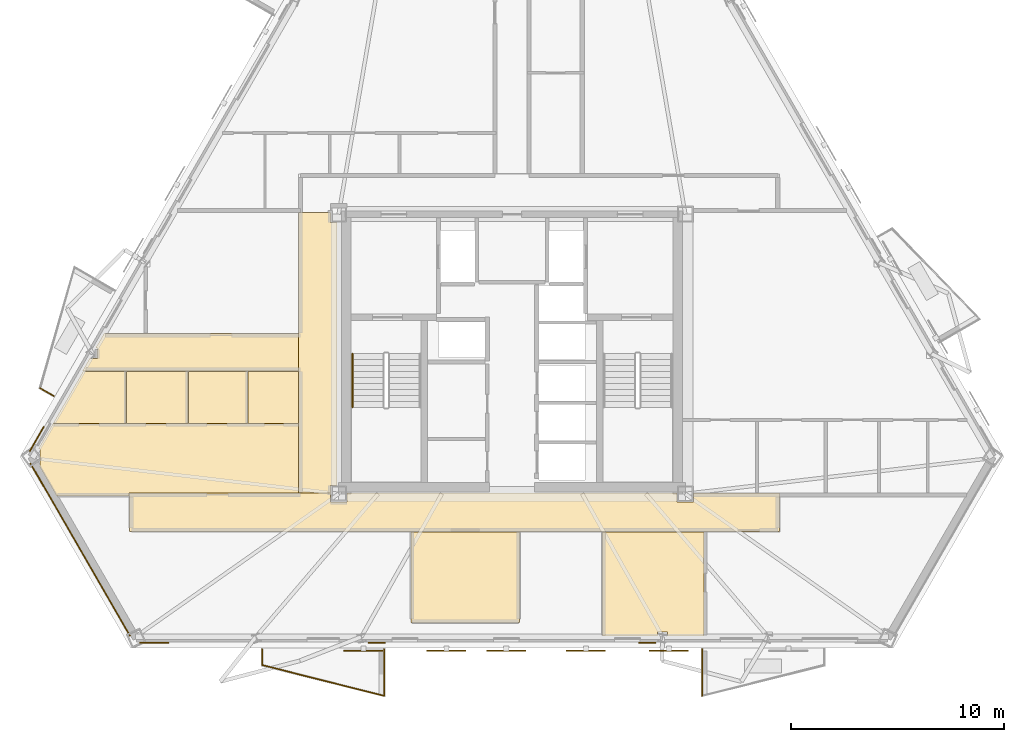
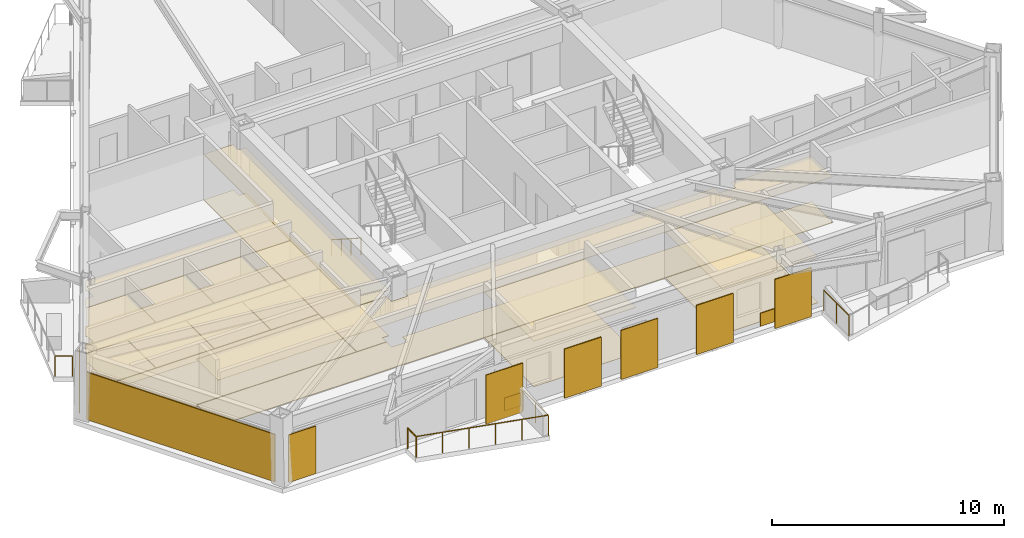
# One storey, part 7 of 9: 25 coverings, 6 railings, 5 shading devices.
"""IFC4 building model written with IfcOpenShell, lengths in metres."""

from ifc_helpers import new_model, si_unit, direction, frame, origin, origin_2d, place, context, subcontext, project, spatial, polyline, rectangle, circle, outline, extrude, material, layer, layer_set, type_object, element, save


model = new_model("IFC4")

# Units and contexts
model_context = context("Model", 3, precision=1e-05, world=origin(), true_north=direction((0.0, 1.0)))
body_context = subcontext(model_context, "Body", "Model", "MODEL_VIEW")
ifc_project = project(units=[si_unit("LENGTHUNIT", "METRE"), si_unit("AREAUNIT", "SQUARE_METRE"), si_unit("VOLUMEUNIT", "CUBIC_METRE"), si_unit("PLANEANGLEUNIT", "RADIAN"), si_unit("MASSUNIT", "GRAM", prefix="KILO")], contexts=[model_context])

# Site, building, storey
site_placement = place(None, origin())
site = spatial("IfcSite", under=ifc_project, at=site_placement, CompositionType="ELEMENT")
building_placement = place(site_placement, origin())
building = spatial("IfcBuilding", under=site, at=building_placement, Name="Oramaril Tower", CompositionType="ELEMENT")
storey_placement = place(building_placement, frame((0.0, 0.0, 142.199951171875)))
storey = spatial("IfcBuildingStorey", under=building, at=storey_placement, Name="L37", CompositionType="ELEMENT", Elevation=142.199951171875)

# Coverings
ifc_material_1 = material(Name="Mineral Fibre Acoustic Ceiling")
ifc_layer_1 = layer(ifc_material_1, 0.02001953125)
ifc_layer_set_1 = layer_set([ifc_layer_1], Name="CVT-CEIL")
covering_type_1 = type_object("IfcCoveringType", Name="CVT-CEIL", PredefinedType="CEILING", material=ifc_layer_set_1)
covering_1_placement = place(storey_placement, frame((0.0, 0.0, 2.400146484375)))
element("IfcCovering", 1, at=covering_1_placement, inside=storey, type_object=covering_type_1, Name="L37 Acoustic Suspended Ceiling 1", PredefinedType="CEILING", context=body_context, shape_type="SweptSolid", body=[
    extrude(outline(polyline([(28.955078125, 10.60498046875), (29.7451171875, 10.60498046875), (29.7451171875, 11.030029296875), (45.2548828125, 11.030029296875), (45.2548828125, 10.60498046875), (46.044921875, 10.60498046875), (46.044921875, 11.030029296875), (50.080078125, 11.030029296875), (50.080078125, 9.219970703125), (19.52001953125, 9.219970703125), (19.52001953125, 11.030029296875), (28.955078125, 11.030029296875), (28.955078125, 10.60498046875)])), origin(), (0.0, 0.0, 1.0), 0.02001953125),
])
covering_2_placement = place(storey_placement, frame((0.0, 0.0, 2.400146484375)))
element("IfcCovering", 2, at=covering_2_placement, inside=storey, type_object=covering_type_1, Name="L37 Acoustic Suspended Ceiling 3", PredefinedType="CEILING", context=body_context, shape_type="SweptSolid", body=[
    extrude(outline(polyline([(28.955078125, 23.7548828125), (29.280029296875, 23.7548828125), (29.280029296875, 11.39501953125), (28.955078125, 11.39501953125), (28.955078125, 11.050048828125), (27.469970703125, 11.050048828125), (27.469970703125, 24.219970703125), (28.955078125, 24.219970703125), (28.955078125, 23.7548828125)])), origin(), (0.0, 0.0, 1.0), 0.02001953125),
])
covering_3_placement = place(storey_placement, frame((0.0, 0.0, 2.400146484375)))
element("IfcCovering", 3, at=covering_3_placement, inside=storey, type_object=covering_type_1, Name="L37 Acoustic Suspended Ceiling 5", PredefinedType="CEILING", context=body_context, shape_type="SweptSolid", body=[
    extrude(outline(polyline([(17.298583984375, 16.77001953125), (17.643310546875, 17.36669921875), (17.99951171875, 17.36669921875), (17.99951171875, 17.865234375), (17.93115234375, 17.865234375), (18.31494140625, 18.530029296875), (27.449951171875, 18.530029296875), (27.449951171875, 16.77001953125), (17.298583984375, 16.77001953125)])), origin(), (0.0, 0.0, 1.0), 0.02001953125),
])
covering_4_placement = place(storey_placement, frame((0.0, 0.0, 2.400146484375)))
element("IfcCovering", 4, at=covering_4_placement, inside=storey, type_object=covering_type_1, Name="L37 Acoustic Suspended Ceiling 6", PredefinedType="CEILING", context=body_context, shape_type="SweptSolid", body=[
    extrude(outline(polyline([(32.758056640625, 4.9580078125), (32.758056640625, 9.199951171875), (37.842041015625, 9.199951171875), (37.842041015625, 4.9580078125), (32.758056640625, 4.9580078125)])), origin(), (0.0, 0.0, 1.0), 0.02001953125),
])
covering_5_placement = place(storey_placement, frame((0.0, 0.0, 2.400146484375)))
element("IfcCovering", 5, at=covering_5_placement, inside=storey, type_object=covering_type_1, Name="L37 Acoustic Suspended Ceiling 8", PredefinedType="CEILING", context=body_context, shape_type="SweptSolid", body=[
    extrude(outline(polyline([(44.80029296875, 4.30810546875), (44.80029296875, 4.498291015625), (44.347412109375, 4.498291015625), (44.347412109375, 4.30810546875), (41.758056640625, 4.30810546875), (41.758056640625, 9.199951171875), (46.5234375, 9.199951171875), (46.5234375, 4.30810546875), (44.80029296875, 4.30810546875)])), origin(), (0.0, 0.0, 1.0), 0.02001953125),
])
covering_6_placement = place(storey_placement, frame((0.0, 0.0, 2.400146484375)))
element("IfcCovering", 6, at=covering_6_placement, inside=storey, type_object=covering_type_1, Name="L37 Acoustic Suspended Ceiling 9", PredefinedType="CEILING", context=body_context, shape_type="SweptSolid", body=[
    extrude(outline(polyline([(16.084716796875, 10.907958984375), (15.275146484375, 12.310302734375), (15.317626953125, 12.310302734375), (15.317626953125, 13.11962890625), (15.235107421875, 13.11962890625), (15.914306640625, 14.2958984375), (27.449951171875, 14.2958984375), (27.449951171875, 11.050048828125), (19.52001953125, 11.050048828125), (19.51806640625, 11.0498046875), (19.51611328125, 11.049560546875), (19.51416015625, 11.049072265625), (19.51220703125, 11.048583984375), (19.510498046875, 11.047607421875), (19.5087890625, 11.046630859375), (19.50732421875, 11.04541015625), (19.505859375, 11.044189453125), (19.50439453125, 11.042724609375), (19.50341796875, 11.041015625), (19.50244140625, 11.039306640625), (19.50146484375, 11.03759765625), (19.5009765625, 11.035888671875), (19.50048828125, 11.033935546875), (19.5, 11.031982421875), (19.5, 11.030029296875), (19.5, 10.907958984375), (16.084716796875, 10.907958984375)])), origin(), (0.0, 0.0, 1.0), 0.02001953125),
])
covering_7_placement = place(storey_placement, frame((0.0, 0.0, 2.400146484375)))
element("IfcCovering", 7, at=covering_7_placement, inside=storey, type_object=covering_type_1, Name="L37 Acoustic Suspended Ceiling 10", PredefinedType="CEILING", context=body_context, shape_type="SweptSolid", body=[
    extrude(outline(polyline([(17.3310546875, 16.75), (19.356201171875, 16.75), (19.356201171875, 14.31591796875), (15.92578125, 14.31591796875), (17.3310546875, 16.75)])), origin(), (0.0, 0.0, 1.0), 0.02001953125),
])
covering_8_placement = place(storey_placement, frame((0.0, 0.0, 2.400146484375)))
element("IfcCovering", 8, at=covering_8_placement, inside=storey, type_object=covering_type_1, Name="L37 Acoustic Suspended Ceiling 11", PredefinedType="CEILING", context=body_context, shape_type="SweptSolid", body=[
    extrude(outline(polyline([(22.25732421875, 14.31591796875), (19.376220703125, 14.31591796875), (19.376220703125, 16.75), (22.25732421875, 16.75), (22.25732421875, 14.31591796875)])), origin(), (0.0, 0.0, 1.0), 0.02001953125),
])
covering_9_placement = place(storey_placement, frame((0.0, 0.0, 2.400146484375)))
element("IfcCovering", 9, at=covering_9_placement, inside=storey, type_object=covering_type_1, Name="L37 Acoustic Suspended Ceiling 12", PredefinedType="CEILING", context=body_context, shape_type="SweptSolid", body=[
    extrude(outline(polyline([(25.072021484375, 14.31591796875), (22.27734375, 14.31591796875), (22.27734375, 16.75), (25.072021484375, 16.75), (25.072021484375, 14.31591796875)])), origin(), (0.0, 0.0, 1.0), 0.02001953125),
])
covering_10_placement = place(storey_placement, frame((0.0, 0.0, 2.400146484375)))
element("IfcCovering", 10, at=covering_10_placement, inside=storey, type_object=covering_type_1, Name="L37 Acoustic Suspended Ceiling 13", PredefinedType="CEILING", context=body_context, shape_type="SweptSolid", body=[
    extrude(outline(polyline([(25.092041015625, 16.75), (27.449951171875, 16.75), (27.449951171875, 14.31591796875), (25.092041015625, 14.31591796875), (25.092041015625, 16.75)])), origin(), (0.0, 0.0, 1.0), 0.02001953125),
])
ifc_material_2 = material(Name="Warm Cream Limestone", Category="masonry")
ifc_layer_2 = layer(ifc_material_2, 0.050048828125)
ifc_layer_set_2 = layer_set([ifc_layer_2], Name="CVT-CLD")
covering_type_2 = type_object("IfcCoveringType", Name="CVT-CLD", PredefinedType="CLADDING", material=ifc_layer_set_2)
covering_11_placement = place(storey_placement, frame((17.19775390625, 8.37841796875, 0.0400390625), z_axis=(0.0, 0.0, 1.0), x_axis=(0.4999984885, -0.866026276448, 0.0)))
element("IfcCovering", 11, at=covering_11_placement, inside=storey, type_object=covering_type_2, Name="L37 Warm Cream Limestone Cladding", PredefinedType="CLADDING", context=body_context, shape_type="SweptSolid", body=[
    extrude(rectangle(XDim=9.372314453125, YDim=0.050048828125, at=origin_2d()), origin(), (0.0, 0.0, 1.0), 2.5),
])
covering_12_placement = place(storey_placement, frame((20.682861328125, 4.007080078125, 0.0400390625), z_axis=(0.0, 0.0, 1.0), x_axis=(1.0, 0.0, 0.0)))
element("IfcCovering", 12, at=covering_12_placement, inside=storey, type_object=covering_type_2, Name="L37 Warm Cream Limestone Cladding", PredefinedType="CLADDING", context=body_context, shape_type="SweptSolid", body=[
    extrude(rectangle(XDim=1.35009765625, YDim=0.050048828125, at=origin_2d()), origin(), (0.0, 0.0, 1.0), 2.5),
])
for number, where, z_axis, x_axis, name in (
    (13, (31.139892578125, 4.007080078125, 0.0400390625), (0.0, 0.0, 1.0), (1.0, 0.0, 0.0), "L37 Warm Cream Limestone Spandrel Cladding"),
    (14, (43.860107421875, 4.007080078125, 0.0400390625), (0.0, 0.0, 1.0), (1.0, 0.0, 0.0), "L37 Warm Cream Limestone Spandrel Cladding"),
):
    element("IfcCovering", number, at=place(storey_placement, frame(where, z_axis=z_axis, x_axis=x_axis)), inside=storey, type_object=covering_type_2, Name=name, PredefinedType="CLADDING", context=body_context, shape_type="SweptSolid", body=[
        extrude(rectangle(XDim=0.800048828125, YDim=0.050048828125, at=origin_2d()), origin(), (0.0, 0.0, 1.0), 0.679931640625),
    ])
covering_13_placement = place(storey_placement, frame((15.15478515625, 13.582275390625, 0.0400390625), z_axis=(0.0, 0.0, 1.0), x_axis=(-0.4999984885, -0.866026276448, 0.0)))
element("IfcCovering", 15, at=covering_13_placement, inside=storey, type_object=covering_type_2, Name="L37 Warm Cream Limestone Cladding", PredefinedType="CLADDING", context=body_context, shape_type="SweptSolid", body=[
    extrude(rectangle(XDim=1.35009765625, YDim=0.050048828125, at=origin_2d()), origin(), (0.0, 0.0, 1.0), 2.5),
])
ifc_material_3 = material(Name="Honed Quartzite Stone Flooring", Category="masonry")
ifc_layer_3 = layer(ifc_material_3, 0.02490234375)
ifc_layer_set_3 = layer_set([ifc_layer_3], Name="CVT-FLR")
covering_type_3 = type_object("IfcCoveringType", Name="CVT-FLR", PredefinedType="FLOORING", material=ifc_layer_set_3)
covering_14_placement = place(storey_placement, origin())
element("IfcCovering", 16, at=covering_14_placement, inside=storey, type_object=covering_type_3, Name="L37 Honed Stone Floor Finish 1", PredefinedType="FLOORING", context=body_context, shape_type="SweptSolid", body=[
    extrude(outline(polyline([(28.955078125, 10.60498046875), (29.7451171875, 10.60498046875), (29.7451171875, 11.030029296875), (45.2548828125, 11.030029296875), (45.2548828125, 10.60498046875), (46.044921875, 10.60498046875), (46.044921875, 11.030029296875), (50.080078125, 11.030029296875), (50.080078125, 9.219970703125), (19.52001953125, 9.219970703125), (19.52001953125, 11.030029296875), (28.955078125, 11.030029296875), (28.955078125, 10.60498046875)])), origin(), (0.0, 0.0, 1.0), 0.025146484375),
])
covering_15_placement = place(storey_placement, origin())
element("IfcCovering", 17, at=covering_15_placement, inside=storey, type_object=covering_type_3, Name="L37 Honed Stone Floor Finish 3", PredefinedType="FLOORING", context=body_context, shape_type="SweptSolid", body=[
    extrude(outline(polyline([(28.955078125, 23.7548828125), (29.280029296875, 23.7548828125), (29.280029296875, 11.39501953125), (28.955078125, 11.39501953125), (28.955078125, 11.050048828125), (27.469970703125, 11.050048828125), (27.469970703125, 24.219970703125), (28.955078125, 24.219970703125), (28.955078125, 23.7548828125)])), origin(), (0.0, 0.0, 1.0), 0.025146484375),
])
covering_16_placement = place(storey_placement, origin())
element("IfcCovering", 18, at=covering_16_placement, inside=storey, type_object=covering_type_3, Name="L37 Honed Stone Floor Finish 5", PredefinedType="FLOORING", context=body_context, shape_type="SweptSolid", body=[
    extrude(outline(polyline([(17.298583984375, 16.77001953125), (17.643310546875, 17.36669921875), (17.99951171875, 17.36669921875), (17.99951171875, 17.865234375), (17.93115234375, 17.865234375), (18.31494140625, 18.530029296875), (27.449951171875, 18.530029296875), (27.449951171875, 16.77001953125), (17.298583984375, 16.77001953125)])), origin(), (0.0, 0.0, 1.0), 0.025146484375),
])
covering_17_placement = place(storey_placement, origin())
element("IfcCovering", 19, at=covering_17_placement, inside=storey, type_object=covering_type_3, Name="L37 Honed Stone Floor Finish 6", PredefinedType="FLOORING", context=body_context, shape_type="SweptSolid", body=[
    extrude(outline(polyline([(32.758056640625, 4.9580078125), (32.758056640625, 9.199951171875), (37.842041015625, 9.199951171875), (37.842041015625, 4.9580078125), (32.758056640625, 4.9580078125)])), origin(), (0.0, 0.0, 1.0), 0.025146484375),
])
covering_18_placement = place(storey_placement, origin())
element("IfcCovering", 20, at=covering_18_placement, inside=storey, type_object=covering_type_3, Name="L37 Honed Stone Floor Finish 8", PredefinedType="FLOORING", context=body_context, shape_type="SweptSolid", body=[
    extrude(outline(polyline([(44.80029296875, 4.30810546875), (44.80029296875, 4.498291015625), (44.347412109375, 4.498291015625), (44.347412109375, 4.30810546875), (41.758056640625, 4.30810546875), (41.758056640625, 9.199951171875), (46.5234375, 9.199951171875), (46.5234375, 4.30810546875), (44.80029296875, 4.30810546875)])), origin(), (0.0, 0.0, 1.0), 0.025146484375),
])
covering_19_placement = place(storey_placement, origin())
element("IfcCovering", 21, at=covering_19_placement, inside=storey, type_object=covering_type_3, Name="L37 Honed Stone Floor Finish 9", PredefinedType="FLOORING", context=body_context, shape_type="SweptSolid", body=[
    extrude(outline(polyline([(16.084716796875, 10.907958984375), (15.275146484375, 12.310302734375), (15.317626953125, 12.310302734375), (15.317626953125, 13.11962890625), (15.235107421875, 13.11962890625), (15.914306640625, 14.2958984375), (27.449951171875, 14.2958984375), (27.449951171875, 11.050048828125), (19.52001953125, 11.050048828125), (19.51806640625, 11.0498046875), (19.51611328125, 11.049560546875), (19.51416015625, 11.049072265625), (19.51220703125, 11.048583984375), (19.510498046875, 11.047607421875), (19.5087890625, 11.046630859375), (19.50732421875, 11.04541015625), (19.505859375, 11.044189453125), (19.50439453125, 11.042724609375), (19.50341796875, 11.041015625), (19.50244140625, 11.039306640625), (19.50146484375, 11.03759765625), (19.5009765625, 11.035888671875), (19.50048828125, 11.033935546875), (19.5, 11.031982421875), (19.5, 11.030029296875), (19.5, 10.907958984375), (16.084716796875, 10.907958984375)])), origin(), (0.0, 0.0, 1.0), 0.025146484375),
])
covering_20_placement = place(storey_placement, origin())
element("IfcCovering", 22, at=covering_20_placement, inside=storey, type_object=covering_type_3, Name="L37 Honed Stone Floor Finish 10", PredefinedType="FLOORING", context=body_context, shape_type="SweptSolid", body=[
    extrude(outline(polyline([(17.3310546875, 16.75), (19.356201171875, 16.75), (19.356201171875, 14.31591796875), (15.92578125, 14.31591796875), (17.3310546875, 16.75)])), origin(), (0.0, 0.0, 1.0), 0.025146484375),
])
covering_21_placement = place(storey_placement, origin())
element("IfcCovering", 23, at=covering_21_placement, inside=storey, type_object=covering_type_3, Name="L37 Honed Stone Floor Finish 11", PredefinedType="FLOORING", context=body_context, shape_type="SweptSolid", body=[
    extrude(outline(polyline([(22.25732421875, 14.31591796875), (19.376220703125, 14.31591796875), (19.376220703125, 16.75), (22.25732421875, 16.75), (22.25732421875, 14.31591796875)])), origin(), (0.0, 0.0, 1.0), 0.025146484375),
])
covering_22_placement = place(storey_placement, origin())
element("IfcCovering", 24, at=covering_22_placement, inside=storey, type_object=covering_type_3, Name="L37 Honed Stone Floor Finish 12", PredefinedType="FLOORING", context=body_context, shape_type="SweptSolid", body=[
    extrude(outline(polyline([(25.072021484375, 14.31591796875), (22.27734375, 14.31591796875), (22.27734375, 16.75), (25.072021484375, 16.75), (25.072021484375, 14.31591796875)])), origin(), (0.0, 0.0, 1.0), 0.025146484375),
])
covering_23_placement = place(storey_placement, origin())
element("IfcCovering", 25, at=covering_23_placement, inside=storey, type_object=covering_type_3, Name="L37 Honed Stone Floor Finish 13", PredefinedType="FLOORING", context=body_context, shape_type="SweptSolid", body=[
    extrude(outline(polyline([(25.092041015625, 16.75), (27.449951171875, 16.75), (27.449951171875, 14.31591796875), (25.092041015625, 14.31591796875), (25.092041015625, 16.75)])), origin(), (0.0, 0.0, 1.0), 0.025146484375),
])

# Railings
ifc_material_4 = material(Name="Stainless Steel 316L", Category="steel")
railing_type_1 = type_object("IfcRailingType", Name="RLT-GRD", PredefinedType="GUARDRAIL", material=ifc_material_4)
railing_1_placement = place(storey_placement, frame((31.482421875, 3.692138671875, 0.0)))
element("IfcRailing", 26, at=railing_1_placement, inside=storey, type_object=railing_type_1, Name="L37 Balcony Guardrail L37-BAL-S1.1", PredefinedType="GUARDRAIL", context=body_context, shape_type="SweptSolid", body=[
    extrude(circle(Radius=0.02392578125, at=origin_2d()), frame((0.0, 0.0, 1.076171875), z_axis=(0.0, -1.0, 0.0), x_axis=(1.0, 0.0, 0.0)), (0.0, 0.0, 1.0), 2.192138671875),
    extrude(circle(Radius=0.02099609375, at=origin_2d()), origin(), (0.0, 0.0, 1.0), 1.052001953125),
    extrude(circle(Radius=0.02099609375, at=origin_2d()), frame((0.0, -1.09619140625, 0.0)), (0.0, 0.0, 1.0), 1.052001953125),
    extrude(circle(Radius=0.02099609375, at=origin_2d()), frame((0.0, -2.192138671875, 0.0)), (0.0, 0.0, 1.0), 1.052001953125),
])
railing_2_placement = place(storey_placement, frame((31.482421875, 1.5, 0.0)))
element("IfcRailing", 27, at=railing_2_placement, inside=storey, type_object=railing_type_1, Name="L37 Balcony Guardrail L37-BAL-S1.2", PredefinedType="GUARDRAIL", context=body_context, shape_type="SweptSolid", body=[
    extrude(circle(Radius=0.02392578125, at=origin_2d()), frame((0.0, 0.0, 1.076171875), z_axis=(-0.969436273687, 0.245343251915, 0.0), x_axis=(-0.245343251915, -0.969436273687, 0.0)), (0.0, 0.0, 1.0), 5.910888671875),
    extrude(circle(Radius=0.02099609375, at=origin_2d()), origin(), (0.0, 0.0, 1.0), 1.052001953125),
    extrude(circle(Radius=0.02099609375, at=origin_2d()), frame((-1.14599609375, 0.2900390625, 0.0)), (0.0, 0.0, 1.0), 1.052001953125),
    extrude(circle(Radius=0.02099609375, at=origin_2d()), frame((-2.2919921875, 0.580078125, 0.0)), (0.0, 0.0, 1.0), 1.052001953125),
    extrude(circle(Radius=0.02099609375, at=origin_2d()), frame((-3.438232421875, 0.8701171875, 0.0)), (0.0, 0.0, 1.0), 1.052001953125),
    extrude(circle(Radius=0.02099609375, at=origin_2d()), frame((-4.584228515625, 1.16015625, 0.0)), (0.0, 0.0, 1.0), 1.052001953125),
    extrude(circle(Radius=0.02099609375, at=origin_2d()), frame((-5.730224609375, 1.4501953125, 0.0)), (0.0, 0.0, 1.0), 1.052001953125),
])
railing_3_placement = place(storey_placement, frame((25.752197265625, 2.9501953125, 0.0)))
element("IfcRailing", 28, at=railing_3_placement, inside=storey, type_object=railing_type_1, Name="L37 Balcony Guardrail L37-BAL-S1.3", PredefinedType="GUARDRAIL", context=body_context, shape_type="SweptSolid", body=[
    extrude(circle(Radius=0.02392578125, at=origin_2d()), frame((0.0, 0.0, 1.076171875), z_axis=(0.0, 1.0, 0.0), x_axis=(-1.0, 0.0, 0.0)), (0.0, 0.0, 1.0), 0.741943359375),
    extrude(circle(Radius=0.02099609375, at=origin_2d()), origin(), (0.0, 0.0, 1.0), 1.052001953125),
    extrude(circle(Radius=0.02099609375, at=origin_2d()), frame((0.0, 0.741943359375, 0.0)), (0.0, 0.0, 1.0), 1.052001953125),
])
railing_4_placement = place(storey_placement, frame((46.442626953125, 1.5, 0.0)))
element("IfcRailing", 29, at=railing_4_placement, inside=storey, type_object=railing_type_1, Name="L37 Balcony Guardrail L37-BAL-S2.3", PredefinedType="GUARDRAIL", context=body_context, shape_type="SweptSolid", body=[
    extrude(circle(Radius=0.02392578125, at=origin_2d()), frame((0.0, 0.0, 1.076171875), z_axis=(0.0, 1.0, 0.0), x_axis=(-1.0, 0.0, 0.0)), (0.0, 0.0, 1.0), 2.192138671875),
    extrude(circle(Radius=0.02099609375, at=origin_2d()), origin(), (0.0, 0.0, 1.0), 1.052001953125),
    extrude(circle(Radius=0.02099609375, at=origin_2d()), frame((0.0, 1.09619140625, 0.0)), (0.0, 0.0, 1.0), 1.052001953125),
    extrude(circle(Radius=0.02099609375, at=origin_2d()), frame((0.0, 2.192138671875, 0.0)), (0.0, 0.0, 1.0), 1.052001953125),
])
railing_5_placement = place(storey_placement, frame((15.9541015625, 15.596923828125, 0.0)))
element("IfcRailing", 30, at=railing_5_placement, inside=storey, type_object=railing_type_1, Name="L37 Balcony Guardrail L37-BAL-NW2.1", PredefinedType="GUARDRAIL", context=body_context, shape_type="SweptSolid", body=[
    extrude(circle(Radius=0.02392578125, at=origin_2d()), frame((0.0, 0.0, 1.076171875), z_axis=(-0.865966403178, 0.500102178127, 0.0), x_axis=(-0.500102178127, -0.865966403178, 0.0)), (0.0, 0.0, 1.0), 0.741943359375),
    extrude(circle(Radius=0.02099609375, at=origin_2d()), origin(), (0.0, 0.0, 1.0), 1.052001953125),
    extrude(circle(Radius=0.02099609375, at=origin_2d()), frame((-0.642578125, 0.37109375, 0.0)), (0.0, 0.0, 1.0), 1.052001953125),
])
ifc_material_5 = material(Name="Stainless Steel 316L", Category="steel")
railing_type_2 = type_object("IfcRailingType", Name="RLT-HND", PredefinedType="HANDRAIL", material=ifc_material_5)
railing_6_placement = place(storey_placement, frame((30.0, 17.590087890625, 0.179931640625)))
element("IfcRailing", 31, at=railing_6_placement, inside=storey, type_object=railing_type_2, Name="L37 ST-1 stair handrail 1", PredefinedType="HANDRAIL", context=body_context, shape_type="SweptSolid", body=[
    extrude(circle(Radius=0.02392578125, at=origin_2d()), frame((0.0, 0.0, 0.8759765625), z_axis=(0.0, -0.841162588446, 0.540782303519), x_axis=(1.0, 0.0, 0.0)), (0.0, 0.0, 1.0), 2.995849609375),
    extrude(circle(Radius=0.02099609375, at=origin_2d()), origin(), (0.0, 0.0, 1.0), 0.851806640625),
    extrude(circle(Radius=0.02099609375, at=origin_2d()), frame((0.0, -0.840087890625, 0.5400390625)), (0.0, 0.0, 1.0), 0.851806640625),
    extrude(circle(Radius=0.02099609375, at=origin_2d()), frame((0.0, -1.679931640625, 1.080078125)), (0.0, 0.0, 1.0), 0.851806640625),
    extrude(circle(Radius=0.02099609375, at=origin_2d()), frame((0.0, -2.52001953125, 1.6201171875)), (0.0, 0.0, 1.0), 0.851806640625),
])

# Shading devices
for number, where, z_axis, x_axis, name in (
    (32, (30.516357421875, 3.6201171875, -0.02001953125), (0.0, 0.0, 1.0), (1.0, 0.0, 0.0), "L37 Perforated Ceramic Solar Screen"),
    (33, (34.416259765625, 3.6201171875, -0.02001953125), (0.0, 0.0, 1.0), (1.0, 0.0, 0.0), "L37 Perforated Ceramic Solar Screen"),
    (34, (37.22998046875, 3.6201171875, -0.02001953125), (0.0, 0.0, 1.0), (1.0, 0.0, 0.0), "L37 Perforated Ceramic Solar Screen"),
    (35, (40.973876953125, 3.6201171875, -0.02001953125), (0.0, 0.0, 1.0), (1.0, 0.0, 0.0), "L37 Perforated Ceramic Solar Screen"),
    (36, (44.873779296875, 3.6201171875, -0.02001953125), (0.0, 0.0, 1.0), (1.0, 0.0, 0.0), "L37 Perforated Ceramic Solar Screen"),
):
    element("IfcShadingDevice", number, at=place(storey_placement, frame(where, z_axis=z_axis, x_axis=x_axis)), inside=storey, Name=name, ObjectType="SCREEN", PredefinedType="USERDEFINED", context=body_context, shape_type="SweptSolid", body=[
        extrude(rectangle(XDim=1.8330078125, YDim=0.050048828125, at=origin_2d()), origin(), (0.0, 0.0, 1.0), 2.580078125),
    ])

save(model, "model.ifc")
